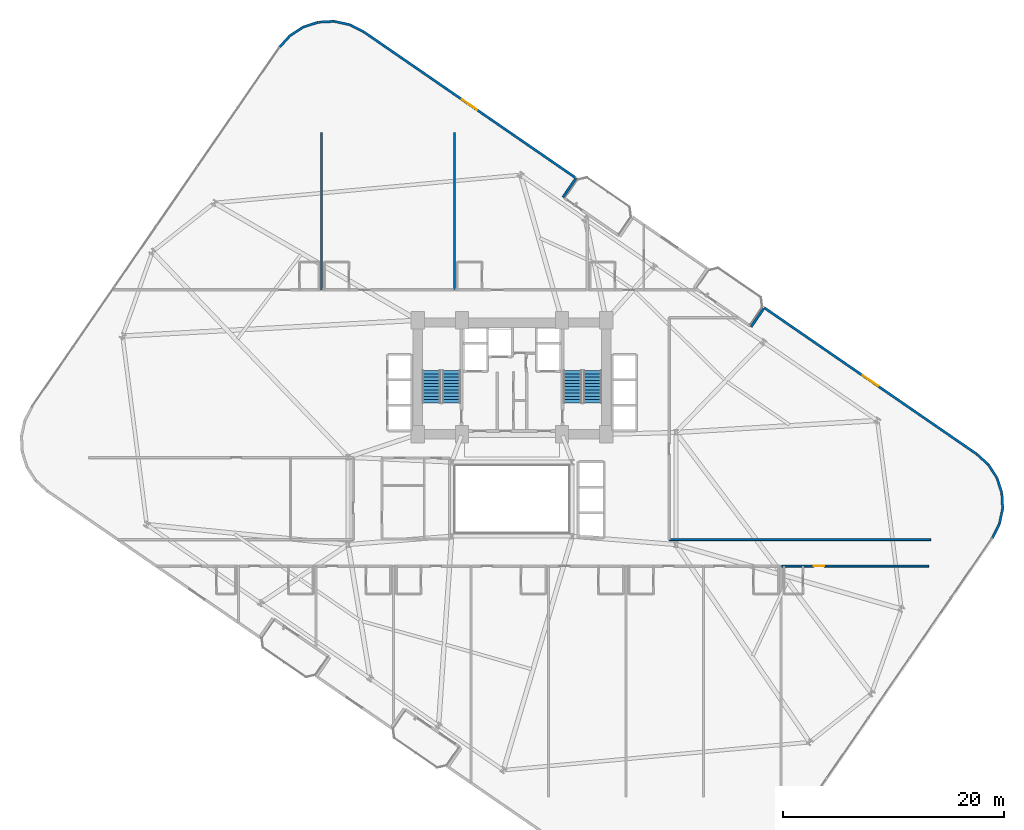
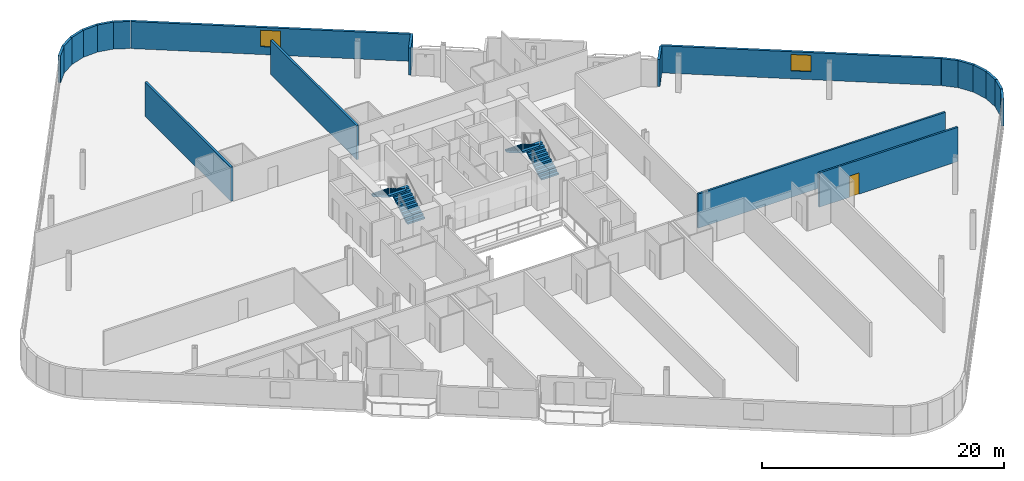
# One storey, part 21 of 25: 20 walls, 4 stair flights, 2 windows, 1 door, 3 openings, 2 elements without a shape of their own.
"""IFC4 building model written with IfcOpenShell, lengths in metres."""

import ifcopenshell
import ifcopenshell.guid

model = None  # the IFC model being written
_history = None  # IfcOwnerHistory: only IFC2X3 demands one
_inside = {}  # id of a spatial element -> (the spatial element, [elements in it])
_under = {}  # id of a project, library or spatial element -> (it, [spatial elements below it])
_declared = {}  # id of a project -> (the project, [libraries it declares])
_typed = {}  # id of a type object -> (the type object, [elements of that type])
_made_of = {}  # id of a material, layer set ... -> (it, [elements and type objects made of it])


def new_model(schema):
    """Start an empty IFC model of exactly this schema.

    Asked for "IFC4X3", IfcOpenShell would pick the latest addendum, in which some entities
    have other attributes; the version numbers below select the first issue.
    IFC2X3 requires an IfcOwnerHistory on every rooted entity: one is made here for all.
    """
    global model, _history
    if schema == "IFC4X3":
        model = ifcopenshell.file(schema_version=(4, 3, 0, 0))
    else:
        model = ifcopenshell.file(schema=schema)
    _inside.clear()
    _under.clear()
    _declared.clear()
    _typed.clear()
    _made_of.clear()
    _history = None
    if model.schema == "IFC2X3":
        org = make("IfcOrganization", Name="unknown")
        user = make(
            "IfcPersonAndOrganization",
            ThePerson=make("IfcPerson", FamilyName="unknown"),
            TheOrganization=org,
        )
        app = make(
            "IfcApplication",
            ApplicationDeveloper=org,
            Version="unknown",
            ApplicationFullName="unknown",
            ApplicationIdentifier="unknown",
        )
        _history = make(
            "IfcOwnerHistory",
            OwningUser=user,
            OwningApplication=app,
            ChangeAction="ADDED",
            CreationDate=0,
        )
    return model


def make(cls, **values):
    """One entity of the class cls with the attributes given. An attribute that is None is left unset."""
    return model.create_entity(
        cls, **{name: value for name, value in values.items() if value is not None}
    )


def rooted(cls, **values):
    """An entity with a GlobalId (a new one), such as an element, a storey or a relation."""
    return make(cls, GlobalId=ifcopenshell.guid.new(), OwnerHistory=_history, **values)


def si_unit(unit_type, name, prefix=None):
    """IfcSIUnit, for example si_unit("LENGTHUNIT", "METRE", prefix="MILLI")."""
    return make("IfcSIUnit", UnitType=unit_type, Prefix=prefix, Name=name)


def assignment(units):
    """IfcUnitAssignment: the units of a project."""
    return None if units is None else make("IfcUnitAssignment", Units=units)


def point(xyz):
    """IfcCartesianPoint."""
    return None if xyz is None else make("IfcCartesianPoint", Coordinates=xyz)


def direction(xyz):
    """IfcDirection."""
    return None if xyz is None else make("IfcDirection", DirectionRatios=xyz)


def frame(location, z_axis=None, x_axis=None):
    """IfcAxis2Placement3D, a coordinate frame: its origin and axes. An axis left out is left unset."""
    return make(
        "IfcAxis2Placement3D",
        Location=point(location),
        Axis=direction(z_axis),
        RefDirection=direction(x_axis),
    )


def frame_2d(location, x_axis=None):
    """IfcAxis2Placement2D, a coordinate frame in the plane: its origin and x axis."""
    return make(
        "IfcAxis2Placement2D", Location=point(location), RefDirection=direction(x_axis)
    )


def origin():
    """The frame at (0, 0, 0) with its axes left unset."""
    return frame((0.0, 0.0, 0.0))


def place(relative_to, where):
    """IfcLocalPlacement: puts the frame where relative to a parent placement (None: the world)."""
    return make(
        "IfcLocalPlacement", PlacementRelTo=relative_to, RelativePlacement=where
    )


def context(
    kind, dimensions, precision=None, world=None, true_north=None, identifier=None
):
    """IfcGeometricRepresentationContext, for example the 3D "Model" context."""
    return make(
        "IfcGeometricRepresentationContext",
        ContextIdentifier=identifier,
        ContextType=kind,
        CoordinateSpaceDimension=dimensions,
        Precision=precision,
        WorldCoordinateSystem=world,
        TrueNorth=true_north,
    )


def subcontext(parent, identifier, kind, view, scale=None):
    """IfcGeometricRepresentationSubContext, for example "Body" below "Model"."""
    return make(
        "IfcGeometricRepresentationSubContext",
        ContextIdentifier=identifier,
        ContextType=kind,
        ParentContext=parent,
        TargetScale=scale,
        TargetView=view,
    )


def project(units=None, contexts=None):
    """IfcProject with its units and contexts."""
    return rooted(
        "IfcProject",
        Name="project",
        RepresentationContexts=contexts,
        UnitsInContext=assignment(units),
    )


def spatial(cls, under=None, at=None, **own):
    """A site, building, storey or space (cls), placed at a placement, below another one or the project."""
    s = rooted(cls, ObjectPlacement=at, **own)
    if under is not None:
        _under.setdefault(under.id(), (under, []))[1].append(s)
    return s


def polyline(points):
    """IfcPolyline through the points."""
    return make("IfcPolyline", Points=[point(p) for p in points])


def profile(cls, at=None, kind="AREA", **sizes):
    """A parametric profile (cls). Its sizes go by their IFC names, for example OverallWidth=200.0."""
    return make(cls, ProfileType=kind, Position=at, **sizes)


def rectangle(**sizes):
    """IfcRectangleProfileDef."""
    return profile("IfcRectangleProfileDef", **sizes)


def outline(outer, holes=None, kind="AREA"):
    """IfcArbitraryClosedProfileDef: a profile drawn as a closed curve; with holes, ...WithVoids."""
    if holes is None:
        return make("IfcArbitraryClosedProfileDef", ProfileType=kind, OuterCurve=outer)
    return make(
        "IfcArbitraryProfileDefWithVoids",
        ProfileType=kind,
        OuterCurve=outer,
        InnerCurves=holes,
    )


def extrude(swept, where, along, depth):
    """IfcExtrudedAreaSolid: the profile swept, set in the frame where, extruded along a direction by depth."""
    return make(
        "IfcExtrudedAreaSolid",
        SweptArea=swept,
        Position=where,
        ExtrudedDirection=direction(along),
        Depth=depth,
    )


def shape(context_of_items, identifier, shape_type, items):
    """IfcShapeRepresentation: the items that make up one representation, for example the "Body"."""
    return make(
        "IfcShapeRepresentation",
        ContextOfItems=context_of_items,
        RepresentationIdentifier=identifier,
        RepresentationType=shape_type,
        Items=items,
    )


def material(Name=None, Category=None):
    """IfcMaterial."""
    return make("IfcMaterial", Name=Name, Category=Category)


def layer(
    of_material, thickness, ventilated=None, Name=None, Category=None, Priority=None
):
    """IfcMaterialLayer: one layer of a wall or slab, of a material (None: an air gap)."""
    return make(
        "IfcMaterialLayer",
        Material=of_material,
        LayerThickness=thickness,
        IsVentilated=ventilated,
        Name=Name,
        Category=Category,
        Priority=Priority,
    )


def layer_set(layers, Name=None):
    """IfcMaterialLayerSet."""
    return make("IfcMaterialLayerSet", MaterialLayers=layers, LayerSetName=Name)


def made_of(thing, what):
    """Note that an element or type object is made of a material, layer set ...; save() writes the relation."""
    if what is not None:
        _made_of.setdefault(what.id(), (what, []))[1].append(thing)
    return thing


def type_object(cls, material=None, **own):
    """A type object (cls), such as IfcWallType, which elements share."""
    return made_of(rooted(cls, **own), material)


def element(
    cls,
    number,
    at=None,
    inside=None,
    cuts=None,
    type_object=None,
    material=None,
    context=None,
    identifier="Body",
    shape_type=None,
    held_by="IfcProductDefinitionShape",
    body=None,
    shapes=None,
    **own,
):
    """One element of the class cls, such as IfcWall. Its Tag is "e" and its number.

    at: its placement. inside: the storey or other place that contains it. cuts: it is an
    opening in that element (IfcRelVoidsElement). A single representation is given by context,
    identifier, shape_type and body (its items); several are given by shapes. held_by: the class
    of the entity that holds the representations. save() writes the other relations.
    """
    e = rooted(cls, Tag="e%d" % number, ObjectPlacement=at, **own)
    if body is not None:
        shapes = [shape(context, identifier, shape_type, body)]
    if shapes is not None:
        e.Representation = make(held_by, Representations=shapes)
    if inside is not None:
        _inside.setdefault(inside.id(), (inside, []))[1].append(e)
    if cuts is not None:
        rooted(
            "IfcRelVoidsElement", RelatingBuildingElement=cuts, RelatedOpeningElement=e
        )
    if type_object is not None:
        _typed.setdefault(type_object.id(), (type_object, []))[1].append(e)
    return made_of(e, material)


def fill(opening, filler):
    """IfcRelFillsElement: the door or window that sits in an opening."""
    return rooted(
        "IfcRelFillsElement",
        RelatingOpeningElement=opening,
        RelatedBuildingElement=filler,
    )


def aggregate(whole, parts):
    """IfcRelAggregates: a whole, such as a stair, and the parts it consists of."""
    return rooted("IfcRelAggregates", RelatingObject=whole, RelatedObjects=parts)


def save(model, path):
    """Write the relations noted so far, then the file.

    IfcRelAggregates (storeys below a building ...), IfcRelContainedInSpatialStructure (elements
    in a storey), IfcRelDefinesByType, IfcRelAssociatesMaterial and IfcRelDeclares: one each for
    every whole, place, type object, material and project.
    """
    for whole, parts in _under.values():
        aggregate(whole, parts)
    for where, things in _inside.values():
        rooted(
            "IfcRelContainedInSpatialStructure",
            RelatedElements=things,
            RelatingStructure=where,
        )
    for kind, things in _typed.values():
        rooted("IfcRelDefinesByType", RelatedObjects=things, RelatingType=kind)
    for what, things in _made_of.values():
        rooted("IfcRelAssociatesMaterial", RelatedObjects=things, RelatingMaterial=what)
    for by, libraries in _declared.values():
        rooted("IfcRelDeclares", RelatingContext=by, RelatedDefinitions=libraries)
    model.write(path)


model = new_model("IFC4")

# Units and contexts
model_context = context("Model", 3, precision=1e-05, world=origin(), true_north=direction((0.0, 1.0)))
body_context = subcontext(model_context, "Body", "Model", "MODEL_VIEW")
ifc_project = project(units=[si_unit("LENGTHUNIT", "METRE"), si_unit("AREAUNIT", "SQUARE_METRE"), si_unit("VOLUMEUNIT", "CUBIC_METRE"), si_unit("PLANEANGLEUNIT", "RADIAN"), si_unit("MASSUNIT", "GRAM", prefix="KILO")], contexts=[model_context])

# Site, building, storey
site_placement = place(None, origin())
site = spatial("IfcSite", under=ifc_project, at=site_placement, CompositionType="ELEMENT")
building_placement = place(site_placement, origin())
building = spatial("IfcBuilding", under=site, at=building_placement, Name="Varnelok Gate Tower", CompositionType="ELEMENT")
storey_placement = place(building_placement, frame((0.0, 0.0, 56.60009765625)))
storey = spatial("IfcBuildingStorey", under=building, at=storey_placement, Name="L13", CompositionType="ELEMENT", Elevation=56.60009765625)

# Walls
ifc_material_1 = material(Name="Concrete C45/55", Category="concrete")
ifc_layer_1 = layer(ifc_material_1, 0.219970703125)
ifc_layer_set_1 = layer_set([ifc_layer_1], Name="Concrete C45/55")
wall_type_1 = type_object("IfcWallType", Name="EW-BALC-220", PredefinedType="SOLIDWALL", material=ifc_layer_set_1)
wall_1_placement = place(storey_placement, frame((82.55810546875, 19.355224609375, 0.0), z_axis=(0.0, 0.0, 1.0), x_axis=(0.454777156549, 0.890605264908, 0.0)))
element("IfcWall", 1, at=wall_1_placement, inside=storey, type_object=wall_type_1, Name="L13 Perimeter Facade Closure Wall 20", PredefinedType="SOLIDWALL", context=body_context, shape_type="SweptSolid", body=[
    extrude(rectangle(XDim=1.43017578125, YDim=0.219970703125, at=frame_2d((0.715087890625, 0.0))), origin(), (0.0, 0.0, 1.0), 2.72998046875),
])
wall_2_placement = place(storey_placement, frame((83.2138671875, 20.653564453125, 0.0), z_axis=(0.0, 0.0, 1.0), x_axis=(0.208829011645, 0.977952168511, 0.0)))
element("IfcWall", 2, at=wall_2_placement, inside=storey, type_object=wall_type_1, Name="L13 Perimeter Facade Closure Wall 21", PredefinedType="SOLIDWALL", context=body_context, shape_type="SweptSolid", body=[
    extrude(rectangle(XDim=1.4052734375, YDim=0.219970703125, at=frame_2d((0.70263671875, 0.0))), origin(), (0.0, 0.0, 1.0), 2.72998046875),
])
wall_3_placement = place(storey_placement, frame((83.506103515625, 22.052734375, 0.0), z_axis=(0.0, 0.0, 1.0), x_axis=(-0.051245849735, 0.998686068234, 0.0)))
element("IfcWall", 3, at=wall_3_placement, inside=storey, type_object=wall_type_1, Name="L13 Perimeter Facade Closure Wall 22", PredefinedType="SOLIDWALL", context=body_context, shape_type="SweptSolid", body=[
    extrude(rectangle(XDim=1.405517578125, YDim=0.219970703125, at=frame_2d((0.70263671875, 0.0))), origin(), (0.0, 0.0, 1.0), 2.72998046875),
])
for number, where, z_axis, x_axis, name in (
    (4, (83.426513671875, 23.47998046875, 0.0), (0.0, 0.0, 1.0), (-0.308033059501, 0.951375653596, 0.0), "L13 Perimeter Facade Closure Wall 23"),
    (5, (82.97998046875, 24.837890625, 0.0), (0.0, 0.0, 1.0), (-0.543748195851, 0.839248413468, 0.0), "L13 Perimeter Facade Closure Wall 24"),
):
    element("IfcWall", number, at=place(storey_placement, frame(where, z_axis=z_axis, x_axis=x_axis)), inside=storey, type_object=wall_type_1, Name=name, PredefinedType="SOLIDWALL", context=body_context, shape_type="SweptSolid", body=[
        extrude(rectangle(XDim=1.4052734375, YDim=0.219970703125, at=frame_2d((0.70263671875, 0.0))), origin(), (0.0, 0.0, 1.0), 2.72998046875),
    ])
wall_4_placement = place(storey_placement, frame((82.197265625, 26.033935546875, 0.0), z_axis=(0.0, 0.0, 1.0), x_axis=(-0.742374254638, 0.669985422268, 0.0)))
element("IfcWall", 6, at=wall_4_placement, inside=storey, type_object=wall_type_1, Name="L13 Perimeter Facade Closure Wall 25", PredefinedType="SOLIDWALL", context=body_context, shape_type="SweptSolid", body=[
    extrude(rectangle(XDim=1.4130859375, YDim=0.219970703125, at=frame_2d((0.70654296875, 0.0))), origin(), (0.0, 0.0, 1.0), 2.72998046875),
])

# Wall, opening, window
wall_5_placement = place(storey_placement, frame((81.12744140625, 26.994873046875, 0.0), z_axis=(0.0, 0.0, 1.0), x_axis=(-0.823530169317, 0.567272474411, 0.0)))
wall_5 = element("IfcWall", 7, at=wall_5_placement, inside=storey, type_object=wall_type_1, Name="L13 Perimeter Facade Closure Wall 26", PredefinedType="SOLIDWALL", context=body_context, shape_type="SweptSolid", body=[
    extrude(rectangle(XDim=23.247314453125, YDim=0.219970703125, at=frame_2d((11.62353515625, 0.0))), origin(), (0.0, 0.0, 1.0), 2.72998046875),
])
opening_1_placement = place(wall_5_placement, frame((10.798583984375, 0.0, 0.800048828125)))
opening_1 = element("IfcOpeningElement", 8, at=opening_1_placement, cuts=wall_5, Name="Opening WN3", PredefinedType="OPENING", context=body_context, shape_type="SweptSolid", body=[
    extrude(rectangle(XDim=1.64990234375, YDim=1.64990234375, at=frame_2d((0.824951171875, 0.824951171875))), frame((0.0, 0.119873046875, 0.0), z_axis=(0.0, -1.0, 0.0), x_axis=(1.0, 0.0, 0.0)), (0.0, 0.0, 1.0), 0.239990234375),
])
ifc_material_2 = material(Name="Low-E Laminated Double Glazing IGU", Category="glass")
window_type = type_object("IfcWindowType", Name="WN-HTL-1650", PartitioningType="SINGLE_PANEL", PredefinedType="WINDOW", material=ifc_material_2)
window_1_placement = place(opening_1_placement, origin())
window_1 = element("IfcWindow", 9, at=window_1_placement, inside=storey, type_object=window_type, Name="L13 Perimeter Vision Window 26", OverallHeight=1.64990234375, OverallWidth=1.64990234375, PartitioningType="SINGLE_PANEL", PredefinedType="WINDOW", context=body_context, shape_type="SweptSolid", body=[
    extrude(rectangle(XDim=1.64990234375, YDim=1.64990234375, at=frame_2d((0.824951171875, 0.824951171875))), frame((0.0, 0.030029296875, 0.0), z_axis=(0.0, -1.0, 0.0), x_axis=(1.0, 0.0, 0.0)), (0.0, 0.0, 1.0), 0.06005859375),
])
fill(opening_1, window_1)

# Walls
wall_6_placement = place(storey_placement, frame((61.91162109375, 40.079345703125, 0.0), z_axis=(0.0, 0.0, 1.0), x_axis=(-0.567189720735, -0.82358716642, 0.0)))
element("IfcWall", 10, at=wall_6_placement, inside=storey, type_object=wall_type_1, Name="L13 Perimeter Facade Closure Wall 27", PredefinedType="SOLIDWALL", context=body_context, shape_type="SweptSolid", body=[
    extrude(rectangle(XDim=1.974853515625, YDim=0.219970703125, at=frame_2d((0.9873046875, 0.0))), origin(), (0.0, 0.0, 1.0), 2.72998046875),
])
wall_7_placement = place(storey_placement, frame((43.793701171875, 50.161376953125, 0.0), z_axis=(0.0, 0.0, 1.0), x_axis=(0.567352541689, 0.823475010816, 0.0)))
element("IfcWall", 11, at=wall_7_placement, inside=storey, type_object=wall_type_1, Name="L13 Perimeter Facade Closure Wall 31", PredefinedType="SOLIDWALL", context=body_context, shape_type="SweptSolid", body=[
    extrude(rectangle(XDim=2.099853515625, YDim=0.219970703125, at=frame_2d((1.0498046875, 0.0))), origin(), (0.0, 0.0, 1.0), 2.72998046875),
])

# Wall, opening, window
wall_8_placement = place(storey_placement, frame((44.882080078125, 51.961669921875, 0.0), z_axis=(0.0, 0.0, 1.0), x_axis=(-0.823534427573, 0.567266292497, 0.0)))
wall_8 = element("IfcWall", 12, at=wall_8_placement, inside=storey, type_object=wall_type_1, Name="L13 Perimeter Facade Closure Wall 32", PredefinedType="SOLIDWALL", context=body_context, shape_type="SweptSolid", body=[
    extrude(rectangle(XDim=23.147216796875, YDim=0.219970703125, at=frame_2d((11.57373046875, 0.0))), origin(), (0.0, 0.0, 1.0), 2.72998046875),
])
opening_2_placement = place(wall_8_placement, frame((10.74853515625, 0.0, 0.800048828125)))
opening_2 = element("IfcOpeningElement", 13, at=opening_2_placement, cuts=wall_8, Name="Opening WN3", PredefinedType="OPENING", context=body_context, shape_type="SweptSolid", body=[
    extrude(rectangle(XDim=1.64990234375, YDim=1.64990234375, at=frame_2d((0.824951171875, 0.824951171875))), frame((0.0, 0.119873046875, 0.0), z_axis=(0.0, -1.0, 0.0), x_axis=(1.0, 0.0, 0.0)), (0.0, 0.0, 1.0), 0.239990234375),
])
window_2_placement = place(opening_2_placement, origin())
window_2 = element("IfcWindow", 14, at=window_2_placement, inside=storey, type_object=window_type, Name="L13 Perimeter Vision Window 32", OverallHeight=1.64990234375, OverallWidth=1.64990234375, PartitioningType="SINGLE_PANEL", PredefinedType="WINDOW", context=body_context, shape_type="SweptSolid", body=[
    extrude(rectangle(XDim=1.64990234375, YDim=1.64990234375, at=frame_2d((0.824951171875, 0.824951171875))), frame((0.0, 0.030029296875, 0.0), z_axis=(0.0, -1.0, 0.0), x_axis=(1.0, 0.0, 0.0)), (0.0, 0.0, 1.0), 0.06005859375),
])
fill(opening_2, window_2)

# Walls
wall_9_placement = place(storey_placement, frame((25.79736328125, 65.103759765625, 0.0), z_axis=(0.0, 0.0, 1.0), x_axis=(-0.890559109247, 0.454867533394, 0.0)))
element("IfcWall", 15, at=wall_9_placement, inside=storey, type_object=wall_type_1, Name="L13 Perimeter Facade Closure Wall 33", PredefinedType="SOLIDWALL", context=body_context, shape_type="SweptSolid", body=[
    extrude(rectangle(XDim=1.4130859375, YDim=0.219970703125, at=frame_2d((0.70654296875, 0.0))), origin(), (0.0, 0.0, 1.0), 2.72998046875),
])
for number, where, z_axis, x_axis, name in (
    (16, (24.514404296875, 65.751953125, 0.0), (0.0, 0.0, 1.0), (-0.977952168511, 0.208829011645, 0.0), "L13 Perimeter Facade Closure Wall 34"),
    (17, (23.114990234375, 66.044189453125, 0.0), (0.0, 0.0, 1.0), (-0.998685611917, -0.051254741739, 0.0), "L13 Perimeter Facade Closure Wall 35"),
    (18, (21.68798828125, 65.96435546875, 0.0), (0.0, 0.0, 1.0), (-0.951375653596, -0.308033059501, 0.0), "L13 Perimeter Facade Closure Wall 36"),
    (19, (20.330078125, 65.517822265625, 0.0), (0.0, 0.0, 1.0), (-0.839327688057, -0.543625819899, 0.0), "L13 Perimeter Facade Closure Wall 37"),
    (20, (19.1337890625, 64.735107421875, 0.0), (0.0, 0.0, 1.0), (-0.669952842826, -0.742403655964, 0.0), "L13 Perimeter Facade Closure Wall 38"),
):
    element("IfcWall", number, at=place(storey_placement, frame(where, z_axis=z_axis, x_axis=x_axis)), inside=storey, type_object=wall_type_1, Name=name, PredefinedType="SOLIDWALL", context=body_context, shape_type="SweptSolid", body=[
        extrude(rectangle(XDim=1.4052734375, YDim=0.219970703125, at=frame_2d((0.70263671875, 0.0))), origin(), (0.0, 0.0, 1.0), 2.72998046875),
    ])

# Wall, opening, door
ifc_material_3 = material(Name="Gypsum Plasterboard Acoustic Partition", Category="gypsum")
ifc_layer_2 = layer(ifc_material_3, 0.179931640625)
ifc_layer_set_2 = layer_set([ifc_layer_2], Name="Gypsum Plasterboard Acoustic Partition")
wall_type_2 = type_object("IfcWallType", Name="PW-CORR-180", PredefinedType="PARTITIONING", material=ifc_layer_set_2)
wall_10_placement = place(storey_placement, frame((63.580078125, 16.85009765625, 0.0), z_axis=(0.0, 0.0, 1.0), x_axis=(1.0, 0.0, 0.0)))
wall_10 = element("IfcWall", 21, at=wall_10_placement, inside=storey, type_object=wall_type_2, Name="Interior Partition", PredefinedType="PARTITIONING", context=body_context, shape_type="SweptSolid", body=[
    extrude(rectangle(XDim=13.239990234375, YDim=0.179931640625, at=frame_2d((6.6201171875, 0.0))), origin(), (0.0, 0.0, 1.0), 3.449951171875),
])
opening_3_placement = place(wall_10_placement, frame((2.86083984375, 0.0, 0.0)))
opening_3 = element("IfcOpeningElement", 22, at=opening_3_placement, cuts=wall_10, Name="Opening D-HT", PredefinedType="OPENING", context=body_context, shape_type="SweptSolid", body=[
    extrude(rectangle(XDim=0.949951171875, YDim=2.14990234375, at=frame_2d((0.47509765625, 1.074951171875))), frame((0.0, 0.099853515625, 0.0), z_axis=(0.0, -1.0, 0.0), x_axis=(1.0, 0.0, 0.0)), (0.0, 0.0, 1.0), 0.199951171875),
])
ifc_material_4 = material(Name="Engineered Hardwood Timber", Category="wood")
door_type = type_object("IfcDoorType", Name="DR-HTL-950", OperationType="NOTDEFINED", PredefinedType="DOOR", material=ifc_material_4)
door_placement = place(opening_3_placement, origin())
door = element("IfcDoor", 23, at=door_placement, inside=storey, type_object=door_type, Name="L13 Guest Room 09 Entrance Door", OperationType="SINGLE_SWING_RIGHT", OverallHeight=2.14990234375, OverallWidth=0.949951171875, PredefinedType="DOOR", context=body_context, shape_type="SweptSolid", body=[
    extrude(rectangle(XDim=0.949951171875, YDim=2.14990234375, at=frame_2d((0.47509765625, 1.074951171875))), frame((0.0, 0.02490234375, 0.0), z_axis=(0.0, -1.0, 0.0), x_axis=(1.0, 0.0, 0.0)), (0.0, 0.0, 1.0), 0.050048828125),
])
fill(opening_3, door)

# Walls
wall_11_placement = place(storey_placement, frame((53.389892578125, 19.239990234375, 0.0), z_axis=(0.0, 0.0, 1.0), x_axis=(1.0, 0.0, 0.0)))
element("IfcWall", 24, at=wall_11_placement, inside=storey, type_object=wall_type_2, Name="Interior Partition", PredefinedType="PARTITIONING", context=body_context, shape_type="SweptSolid", body=[
    extrude(rectangle(XDim=23.610107421875, YDim=0.179931640625, at=frame_2d((11.80517578125, 0.0))), origin(), (0.0, 0.0, 1.0), 3.449951171875),
])
ifc_layer_3 = layer(ifc_material_3, 0.205078125)
ifc_layer_set_3 = layer_set([ifc_layer_3], Name="Gypsum Plasterboard Acoustic Partition")
wall_type_3 = type_object("IfcWallType", Name="PW-PARTY-200", PredefinedType="PARTITIONING", material=ifc_layer_set_3)
for number, where, z_axis, x_axis, name in (
    (25, (22.0, 41.800048828125, 0.0), (0.0, 0.0, 1.0), (0.0, 1.0, 0.0), "L13 North Party Wall 1"),
    (26, (34.0, 41.800048828125, 0.0), (0.0, 0.0, 1.0), (0.0, 1.0, 0.0), "L13 North Party Wall 2"),
):
    element("IfcWall", number, at=place(storey_placement, frame(where, z_axis=z_axis, x_axis=x_axis)), inside=storey, type_object=wall_type_3, Name=name, PredefinedType="PARTITIONING", context=body_context, shape_type="SweptSolid", body=[
        extrude(rectangle(XDim=14.199951171875, YDim=0.205078125, at=frame_2d((7.10009765625, 0.0))), origin(), (0.0, 0.0, 1.0), 3.449951171875),
    ])

# Stair, stair flights
ifc_material_5 = material(Name="Concrete C50/60", Category="concrete")
stair_type = type_object("IfcStairType", Name="STR-CORE-1650", PredefinedType="HALF_TURN_STAIR", material=ifc_material_5)
stair_1_placement = place(storey_placement, origin())
stair_1 = element("IfcStair", 27, at=stair_1_placement, inside=storey, type_object=stair_type, Name="L13 Exit Stair ST-1", PredefinedType="HALF_TURN_STAIR")
stair_flight_type = type_object("IfcStairFlightType", Name="SFL-CORE-1650", PredefinedType="STRAIGHT", material=ifc_material_5)
stair_flight_1_placement = place(storey_placement, frame((33.72509765625, 31.60009765625, 0.0), z_axis=(0.0, 0.0, 1.0), x_axis=(0.0, 1.0, 0.0)))
stair_flight_1 = element("IfcStairFlight", 28, at=stair_flight_1_placement, type_object=stair_flight_type, Name="ST-1 flight 1", NumberOfRisers=11, NumberOfTreads=10, PredefinedType="STRAIGHT", RiserHeight=0.168181818, TreadLength=0.29, context=body_context, shape_type="SweptSolid", body=[
    extrude(outline(polyline([(0.0, 0.0), (0.0, 0.168212890625), (0.2900390625, 0.168212890625), (0.2900390625, 0.33642578125), (0.580078125, 0.33642578125), (0.580078125, 0.504638671875), (0.8701171875, 0.504638671875), (0.8701171875, 0.672607421875), (1.159912109375, 0.672607421875), (1.159912109375, 0.8408203125), (1.449951171875, 0.8408203125), (1.449951171875, 1.009033203125), (1.739990234375, 1.009033203125), (1.739990234375, 1.17724609375), (2.030029296875, 1.17724609375), (2.030029296875, 1.345458984375), (2.320068359375, 1.345458984375), (2.320068359375, 1.513671875), (2.610107421875, 1.513671875), (2.610107421875, 1.681884765625), (2.89990234375, 1.681884765625), (2.89990234375, 1.85009765625), (2.89990234375, 1.508544921875), (0.298828125, 0.0), (0.0, 0.0)])), frame((0.0, 0.824951171875, 0.0), z_axis=(0.0, -1.0, 0.0), x_axis=(1.0, 0.0, 0.0)), (0.0, 0.0, 1.0), 1.64990234375),
])
stair_flight_2_placement = place(storey_placement, frame((31.925048828125, 34.5, 1.849853515625), z_axis=(0.0, 0.0, 1.0), x_axis=(0.0, -1.0, 0.0)))
stair_flight_2 = element("IfcStairFlight", 29, at=stair_flight_2_placement, type_object=stair_flight_type, Name="ST-1 flight 2", NumberOfRisers=11, NumberOfTreads=10, PredefinedType="STRAIGHT", RiserHeight=0.168181818, TreadLength=0.29, context=body_context, shape_type="SweptSolid", body=[
    extrude(outline(polyline([(0.0, 0.0), (0.0, 0.168212890625), (0.2900390625, 0.168212890625), (0.2900390625, 0.33642578125), (0.580078125, 0.33642578125), (0.580078125, 0.504638671875), (0.8701171875, 0.504638671875), (0.8701171875, 0.672607421875), (1.159912109375, 0.672607421875), (1.159912109375, 0.8408203125), (1.449951171875, 0.8408203125), (1.449951171875, 1.009033203125), (1.739990234375, 1.009033203125), (1.739990234375, 1.17724609375), (2.030029296875, 1.17724609375), (2.030029296875, 1.345458984375), (2.320068359375, 1.345458984375), (2.320068359375, 1.513671875), (2.610107421875, 1.513671875), (2.610107421875, 1.681884765625), (2.89990234375, 1.681884765625), (2.89990234375, 1.85009765625), (2.89990234375, 1.508544921875), (0.298828125, 0.0), (0.0, 0.0)])), frame((0.0, 0.824951171875, 0.0), z_axis=(0.0, -1.0, 0.0), x_axis=(1.0, 0.0, 0.0)), (0.0, 0.0, 1.0), 1.64990234375),
])
aggregate(stair_1, [stair_flight_1, stair_flight_2])

stair_2_placement = place(storey_placement, origin())
stair_2 = element("IfcStair", 30, at=stair_2_placement, inside=storey, type_object=stair_type, Name="L13 Exit Stair ST-2", PredefinedType="HALF_TURN_STAIR")
stair_flight_3_placement = place(storey_placement, frame((46.47509765625, 31.60009765625, 0.0), z_axis=(0.0, 0.0, 1.0), x_axis=(0.0, 1.0, 0.0)))
stair_flight_3 = element("IfcStairFlight", 31, at=stair_flight_3_placement, type_object=stair_flight_type, Name="ST-2 flight 1", NumberOfRisers=11, NumberOfTreads=10, PredefinedType="STRAIGHT", RiserHeight=0.168181818, TreadLength=0.29, context=body_context, shape_type="SweptSolid", body=[
    extrude(outline(polyline([(0.0, 0.0), (0.0, 0.168212890625), (0.2900390625, 0.168212890625), (0.2900390625, 0.33642578125), (0.580078125, 0.33642578125), (0.580078125, 0.504638671875), (0.8701171875, 0.504638671875), (0.8701171875, 0.672607421875), (1.159912109375, 0.672607421875), (1.159912109375, 0.8408203125), (1.449951171875, 0.8408203125), (1.449951171875, 1.009033203125), (1.739990234375, 1.009033203125), (1.739990234375, 1.17724609375), (2.030029296875, 1.17724609375), (2.030029296875, 1.345458984375), (2.320068359375, 1.345458984375), (2.320068359375, 1.513671875), (2.610107421875, 1.513671875), (2.610107421875, 1.681884765625), (2.89990234375, 1.681884765625), (2.89990234375, 1.85009765625), (2.89990234375, 1.508544921875), (0.298828125, 0.0), (0.0, 0.0)])), frame((0.0, 0.824951171875, 0.0), z_axis=(0.0, -1.0, 0.0), x_axis=(1.0, 0.0, 0.0)), (0.0, 0.0, 1.0), 1.64990234375),
])
stair_flight_4_placement = place(storey_placement, frame((44.675048828125, 34.5, 1.849853515625), z_axis=(0.0, 0.0, 1.0), x_axis=(0.0, -1.0, 0.0)))
stair_flight_4 = element("IfcStairFlight", 32, at=stair_flight_4_placement, type_object=stair_flight_type, Name="ST-2 flight 2", NumberOfRisers=11, NumberOfTreads=10, PredefinedType="STRAIGHT", RiserHeight=0.168181818, TreadLength=0.29, context=body_context, shape_type="SweptSolid", body=[
    extrude(outline(polyline([(0.0, 0.0), (0.0, 0.168212890625), (0.2900390625, 0.168212890625), (0.2900390625, 0.33642578125), (0.580078125, 0.33642578125), (0.580078125, 0.504638671875), (0.8701171875, 0.504638671875), (0.8701171875, 0.672607421875), (1.159912109375, 0.672607421875), (1.159912109375, 0.8408203125), (1.449951171875, 0.8408203125), (1.449951171875, 1.009033203125), (1.739990234375, 1.009033203125), (1.739990234375, 1.17724609375), (2.030029296875, 1.17724609375), (2.030029296875, 1.345458984375), (2.320068359375, 1.345458984375), (2.320068359375, 1.513671875), (2.610107421875, 1.513671875), (2.610107421875, 1.681884765625), (2.89990234375, 1.681884765625), (2.89990234375, 1.85009765625), (2.89990234375, 1.508544921875), (0.298828125, 0.0), (0.0, 0.0)])), frame((0.0, 0.824951171875, 0.0), z_axis=(0.0, -1.0, 0.0), x_axis=(1.0, 0.0, 0.0)), (0.0, 0.0, 1.0), 1.64990234375),
])
aggregate(stair_2, [stair_flight_3, stair_flight_4])

save(model, "model.ifc")
